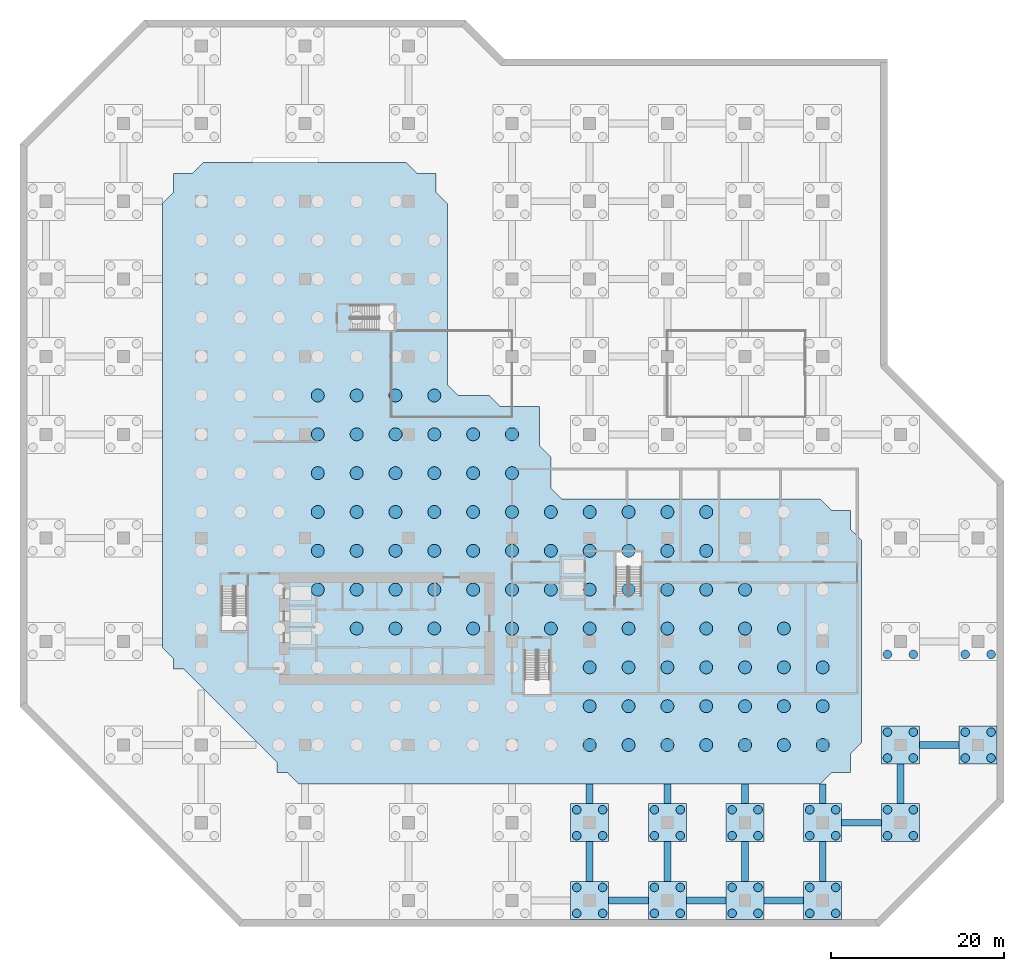
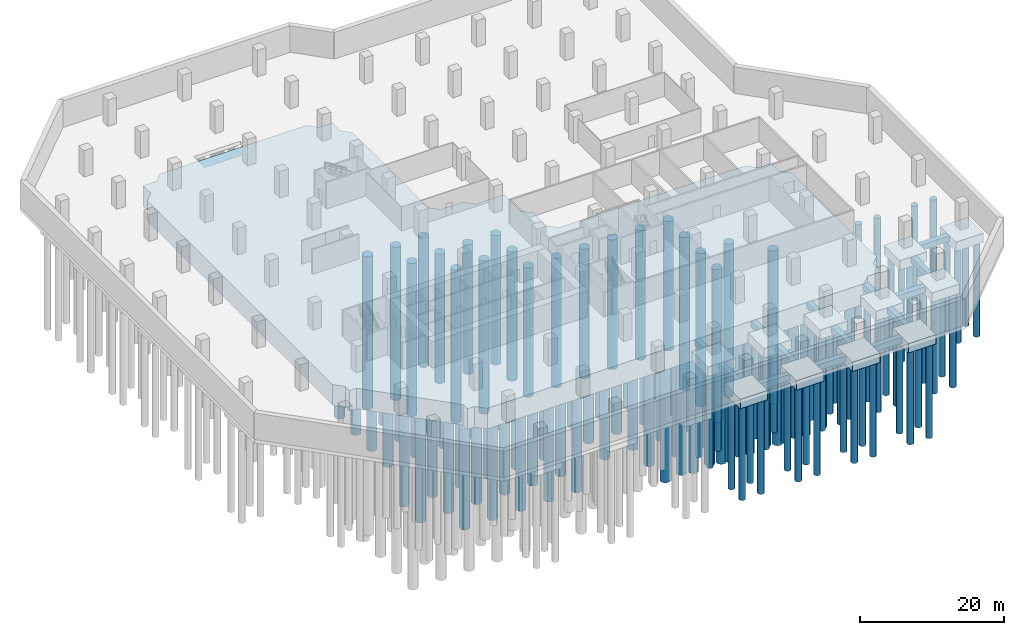
# One storey, part 2 of 13: 131 piles, 26 footings.
"""IFC4 building model written with IfcOpenShell, lengths in metres."""

from ifc_helpers import new_model, si_unit, direction, frame, origin, origin_2d, place, context, subcontext, project, spatial, polyline, circle, outline, extrude, material, layer, layer_set, material_profile, profile_set, type_object, element, save


model = new_model("IFC4")

# Units and contexts
model_context = context("Model", 3, precision=1e-05, world=origin(), true_north=direction((0.0, 1.0)))
body_context = subcontext(model_context, "Body", "Model", "MODEL_VIEW")
ifc_project = project(units=[si_unit("LENGTHUNIT", "METRE"), si_unit("AREAUNIT", "SQUARE_METRE"), si_unit("VOLUMEUNIT", "CUBIC_METRE"), si_unit("PLANEANGLEUNIT", "RADIAN"), si_unit("MASSUNIT", "GRAM", prefix="KILO")], contexts=[model_context])

# Site, building, storey
site_placement = place(None, origin())
site = spatial("IfcSite", under=ifc_project, at=site_placement, CompositionType="ELEMENT")
building_placement = place(site_placement, origin())
building = spatial("IfcBuilding", under=site, at=building_placement, Name="Chenar Terraces", CompositionType="ELEMENT")
storey_placement = place(building_placement, frame((0.0, 0.0, -13.5)))
storey = spatial("IfcBuildingStorey", under=building, at=storey_placement, Name="B3", CompositionType="ELEMENT", Elevation=-13.5)

# Piles
ifc_material_1 = material(Name="Concrete C40/50 sulfate-resisting", Category="concrete")
ifc_material_profile_1 = material_profile(ifc_material_1, circle(Radius=0.5, at=origin_2d()), Name="BP 1000")
ifc_profile_set_1 = profile_set([ifc_material_profile_1], Name="Concrete C40/50 sulfate-resisting")
pile_type_1 = type_object("IfcPileType", Name="Bored pile 1000", PredefinedType="BORED", material=ifc_profile_set_1)
for number, where, z_axis, x_axis, name in (
    (1, (43.5, -19.5, -2.10009765625), (0.0, 0.0, -1.0), (1.0, 0.0, 0.0), "Pile 9/C 1"),
    (2, (46.5, -19.5, -2.10009765625), (0.0, 0.0, -1.0), (1.0, 0.0, 0.0), "Pile 9/C 2"),
    (3, (43.5, -16.5, -2.10009765625), (0.0, 0.0, -1.0), (1.0, 0.0, 0.0), "Pile 9/C 3"),
    (4, (46.5, -16.5, -2.10009765625), (0.0, 0.0, -1.0), (1.0, 0.0, 0.0), "Pile 9/C 4"),
    (5, (43.5, -10.5, -2.10009765625), (0.0, 0.0, -1.0), (1.0, 0.0, 0.0), "Pile 9/D 1"),
    (6, (46.5, -10.5, -2.10009765625), (0.0, 0.0, -1.0), (1.0, 0.0, 0.0), "Pile 9/D 2"),
    (7, (43.5, -7.5, -2.10009765625), (0.0, 0.0, -1.0), (1.0, 0.0, 0.0), "Pile 9/D 3"),
    (8, (46.5, -7.5, -2.10009765625), (0.0, 0.0, -1.0), (1.0, 0.0, 0.0), "Pile 9/D 4"),
    (9, (52.5, -19.5, -2.10009765625), (0.0, 0.0, -1.0), (1.0, 0.0, 0.0), "Pile 10/C 1"),
    (10, (55.5, -19.5, -2.10009765625), (0.0, 0.0, -1.0), (1.0, 0.0, 0.0), "Pile 10/C 2"),
    (11, (52.5, -16.5, -2.10009765625), (0.0, 0.0, -1.0), (1.0, 0.0, 0.0), "Pile 10/C 3"),
    (12, (55.5, -16.5, -2.10009765625), (0.0, 0.0, -1.0), (1.0, 0.0, 0.0), "Pile 10/C 4"),
    (13, (52.5, -10.5, -2.10009765625), (0.0, 0.0, -1.0), (1.0, 0.0, 0.0), "Pile 10/D 1"),
    (14, (55.5, -10.5, -2.10009765625), (0.0, 0.0, -1.0), (1.0, 0.0, 0.0), "Pile 10/D 2"),
    (15, (52.5, -7.5, -2.10009765625), (0.0, 0.0, -1.0), (1.0, 0.0, 0.0), "Pile 10/D 3"),
    (16, (55.5, -7.5, -2.10009765625), (0.0, 0.0, -1.0), (1.0, 0.0, 0.0), "Pile 10/D 4"),
    (17, (61.5, -19.5, -2.10009765625), (0.0, 0.0, -1.0), (1.0, 0.0, 0.0), "Pile 11/C 1"),
    (18, (64.5, -19.5, -2.10009765625), (0.0, 0.0, -1.0), (1.0, 0.0, 0.0), "Pile 11/C 2"),
    (19, (61.5, -16.5, -2.10009765625), (0.0, 0.0, -1.0), (1.0, 0.0, 0.0), "Pile 11/C 3"),
    (20, (64.5, -16.5, -2.10009765625), (0.0, 0.0, -1.0), (1.0, 0.0, 0.0), "Pile 11/C 4"),
    (21, (61.5, -10.5, -2.10009765625), (0.0, 0.0, -1.0), (1.0, 0.0, 0.0), "Pile 11/D 1"),
    (22, (64.5, -10.5, -2.10009765625), (0.0, 0.0, -1.0), (1.0, 0.0, 0.0), "Pile 11/D 2"),
    (23, (61.5, -7.5, -2.10009765625), (0.0, 0.0, -1.0), (1.0, 0.0, 0.0), "Pile 11/D 3"),
    (24, (64.5, -7.5, -2.10009765625), (0.0, 0.0, -1.0), (1.0, 0.0, 0.0), "Pile 11/D 4"),
    (25, (70.5, -19.5, -2.10009765625), (0.0, 0.0, -1.0), (1.0, 0.0, 0.0), "Pile 12/C 1"),
    (26, (73.5, -19.5, -2.10009765625), (0.0, 0.0, -1.0), (1.0, 0.0, 0.0), "Pile 12/C 2"),
    (27, (70.5, -16.5, -2.10009765625), (0.0, 0.0, -1.0), (1.0, 0.0, 0.0), "Pile 12/C 3"),
    (28, (73.5, -16.5, -2.10009765625), (0.0, 0.0, -1.0), (1.0, 0.0, 0.0), "Pile 12/C 4"),
    (29, (70.5, -10.5, -2.10009765625), (0.0, 0.0, -1.0), (1.0, 0.0, 0.0), "Pile 12/D 1"),
    (30, (73.5, -10.5, -2.10009765625), (0.0, 0.0, -1.0), (1.0, 0.0, 0.0), "Pile 12/D 2"),
    (31, (70.5, -7.5, -2.10009765625), (0.0, 0.0, -1.0), (1.0, 0.0, 0.0), "Pile 12/D 3"),
    (32, (73.5, -7.5, -2.10009765625), (0.0, 0.0, -1.0), (1.0, 0.0, 0.0), "Pile 12/D 4"),
    (33, (79.5, -10.5, -2.10009765625), (0.0, 0.0, -1.0), (1.0, 0.0, 0.0), "Pile 13/D 1"),
    (34, (82.5, -10.5, -2.10009765625), (0.0, 0.0, -1.0), (1.0, 0.0, 0.0), "Pile 13/D 2"),
    (35, (79.5, -7.5, -2.10009765625), (0.0, 0.0, -1.0), (1.0, 0.0, 0.0), "Pile 13/D 3"),
    (36, (82.5, -7.5, -2.10009765625), (0.0, 0.0, -1.0), (1.0, 0.0, 0.0), "Pile 13/D 4"),
    (37, (79.5, -1.5, -2.10009765625), (0.0, 0.0, -1.0), (1.0, 0.0, 0.0), "Pile 13/E 1"),
    (38, (82.5, -1.5, -2.10009765625), (0.0, 0.0, -1.0), (1.0, 0.0, 0.0), "Pile 13/E 2"),
    (39, (79.5, 1.5, -2.10009765625), (0.0, 0.0, -1.0), (1.0, 0.0, 0.0), "Pile 13/E 3"),
    (40, (82.5, 1.5, -2.10009765625), (0.0, 0.0, -1.0), (1.0, 0.0, 0.0), "Pile 13/E 4"),
    (41, (79.5, 10.5, -2.10009765625), (0.0, 0.0, -1.0), (1.0, 0.0, 0.0), "Pile 13/F 1"),
    (42, (82.5, 10.5, -2.10009765625), (0.0, 0.0, -1.0), (1.0, 0.0, 0.0), "Pile 13/F 2"),
    (43, (88.5, -1.5, -2.10009765625), (0.0, 0.0, -1.0), (1.0, 0.0, 0.0), "Pile 14/E 1"),
    (44, (91.5, -1.5, -2.10009765625), (0.0, 0.0, -1.0), (1.0, 0.0, 0.0), "Pile 14/E 2"),
    (45, (88.5, 1.5, -2.10009765625), (0.0, 0.0, -1.0), (1.0, 0.0, 0.0), "Pile 14/E 3"),
    (46, (91.5, 1.5, -2.10009765625), (0.0, 0.0, -1.0), (1.0, 0.0, 0.0), "Pile 14/E 4"),
    (47, (88.5, 10.5, -2.10009765625), (0.0, 0.0, -1.0), (1.0, 0.0, 0.0), "Pile 14/F 1"),
    (48, (91.5, 10.5, -2.10009765625), (0.0, 0.0, -1.0), (1.0, 0.0, 0.0), "Pile 14/F 2"),
):
    element("IfcPile", number, at=place(storey_placement, frame(where, z_axis=z_axis, x_axis=x_axis)), inside=storey, type_object=pile_type_1, Name=name, PredefinedType="BORED", context=body_context, shape_type="SweptSolid", body=[
        extrude(circle(Radius=0.5, at=origin_2d()), origin(), (0.0, 0.0, 1.0), 16.0),
    ])
ifc_material_2 = material(Name="Concrete C40/50 sulfate-resisting", Category="concrete")
ifc_material_profile_2 = material_profile(ifc_material_2, circle(Radius=0.75, at=origin_2d()), Name="BP 1500")
ifc_profile_set_2 = profile_set([ifc_material_profile_2], Name="Concrete C40/50 sulfate-resisting")
pile_type_2 = type_object("IfcPileType", Name="Bored pile 1500", PredefinedType="BORED", material=ifc_profile_set_2)
for number, where, z_axis, x_axis, name in (
    (49, (45.0, 0.0, -4.0), (0.0, 0.0, -1.0), (1.0, 0.0, 0.0), "Raft pile 9"),
    (50, (49.5, 0.0, -4.0), (0.0, 0.0, -1.0), (1.0, 0.0, 0.0), "Raft pile 10"),
    (51, (54.0, 0.0, -4.0), (0.0, 0.0, -1.0), (1.0, 0.0, 0.0), "Raft pile 11"),
    (52, (58.5, 0.0, -4.0), (0.0, 0.0, -1.0), (1.0, 0.0, 0.0), "Raft pile 12"),
    (53, (63.0, 0.0, -4.0), (0.0, 0.0, -1.0), (1.0, 0.0, 0.0), "Raft pile 13"),
    (54, (67.5, 0.0, -4.0), (0.0, 0.0, -1.0), (1.0, 0.0, 0.0), "Raft pile 14"),
    (55, (72.0, 0.0, -4.0), (0.0, 0.0, -1.0), (1.0, 0.0, 0.0), "Raft pile 15"),
):
    element("IfcPile", number, at=place(storey_placement, frame(where, z_axis=z_axis, x_axis=x_axis)), inside=storey, type_object=pile_type_2, Name=name, PredefinedType="BORED", context=body_context, shape_type="SweptSolid", body=[
        extrude(circle(Radius=0.75, at=origin_2d()), origin(), (0.0, 0.0, 1.0), 22.0),
    ])
for number, where, z_axis, x_axis, name in (
    (56, (45.0, 4.5, -4.0), (0.0, 0.0, -1.0), (1.0, 0.0, 0.0), "Raft pile 25"),
    (57, (49.5, 4.5, -4.0), (0.0, 0.0, -1.0), (1.0, 0.0, 0.0), "Raft pile 26"),
    (58, (54.0, 4.5, -4.0), (0.0, 0.0, -1.0), (1.0, 0.0, 0.0), "Raft pile 27"),
    (59, (58.5, 4.5, -4.0), (0.0, 0.0, -1.0), (1.0, 0.0, 0.0), "Raft pile 28"),
    (60, (63.0, 4.5, -4.0), (0.0, 0.0, -1.0), (1.0, 0.0, 0.0), "Raft pile 29"),
    (61, (67.5, 4.5, -4.0), (0.0, 0.0, -1.0), (1.0, 0.0, 0.0), "Raft pile 30"),
):
    element("IfcPile", number, at=place(storey_placement, frame(where, z_axis=z_axis, x_axis=x_axis)), inside=storey, type_object=pile_type_2, Name=name, PredefinedType="BORED", context=body_context, shape_type="SweptSolid", body=[
        extrude(circle(Radius=0.75, at=origin_2d()), origin(), (0.0, 0.0, 1.0), 26.0),
    ])
pile_1_placement = place(storey_placement, frame((72.0, 4.5, -4.0), z_axis=(0.0, 0.0, -1.0), x_axis=(1.0, 0.0, 0.0)))
element("IfcPile", 62, at=pile_1_placement, inside=storey, type_object=pile_type_2, Name="Raft pile 31", PredefinedType="BORED", context=body_context, shape_type="SweptSolid", body=[
    extrude(circle(Radius=0.75, at=origin_2d()), origin(), (0.0, 0.0, 1.0), 22.0),
])
for number, where, z_axis, x_axis, name in (
    (63, (45.0, 9.0, -4.0), (0.0, 0.0, -1.0), (1.0, 0.0, 0.0), "Raft pile 42"),
    (64, (49.5, 9.0, -4.0), (0.0, 0.0, -1.0), (1.0, 0.0, 0.0), "Raft pile 43"),
    (65, (54.0, 9.0, -4.0), (0.0, 0.0, -1.0), (1.0, 0.0, 0.0), "Raft pile 44"),
    (66, (58.5, 9.0, -4.0), (0.0, 0.0, -1.0), (1.0, 0.0, 0.0), "Raft pile 45"),
    (67, (63.0, 9.0, -4.0), (0.0, 0.0, -1.0), (1.0, 0.0, 0.0), "Raft pile 46"),
    (68, (67.5, 9.0, -4.0), (0.0, 0.0, -1.0), (1.0, 0.0, 0.0), "Raft pile 47"),
):
    element("IfcPile", number, at=place(storey_placement, frame(where, z_axis=z_axis, x_axis=x_axis)), inside=storey, type_object=pile_type_2, Name=name, PredefinedType="BORED", context=body_context, shape_type="SweptSolid", body=[
        extrude(circle(Radius=0.75, at=origin_2d()), origin(), (0.0, 0.0, 1.0), 26.0),
    ])
pile_2_placement = place(storey_placement, frame((72.0, 9.0, -4.0), z_axis=(0.0, 0.0, -1.0), x_axis=(1.0, 0.0, 0.0)))
element("IfcPile", 69, at=pile_2_placement, inside=storey, type_object=pile_type_2, Name="Raft pile 48", PredefinedType="BORED", context=body_context, shape_type="SweptSolid", body=[
    extrude(circle(Radius=0.75, at=origin_2d()), origin(), (0.0, 0.0, 1.0), 22.0),
])
for number, where, z_axis, x_axis, name in (
    (70, (18.0, 13.5, -4.0), (0.0, 0.0, -1.0), (1.0, 0.0, 0.0), "Raft pile 53"),
    (71, (22.5, 13.5, -4.0), (0.0, 0.0, -1.0), (1.0, 0.0, 0.0), "Raft pile 54"),
    (72, (27.0, 13.5, -4.0), (0.0, 0.0, -1.0), (1.0, 0.0, 0.0), "Raft pile 55"),
    (73, (31.5, 13.5, -4.0), (0.0, 0.0, -1.0), (1.0, 0.0, 0.0), "Raft pile 56"),
    (74, (36.0, 13.5, -4.0), (0.0, 0.0, -1.0), (1.0, 0.0, 0.0), "Raft pile 57"),
):
    element("IfcPile", number, at=place(storey_placement, frame(where, z_axis=z_axis, x_axis=x_axis)), inside=storey, type_object=pile_type_2, Name=name, PredefinedType="BORED", context=body_context, shape_type="SweptSolid", body=[
        extrude(circle(Radius=0.75, at=origin_2d()), origin(), (0.0, 0.0, 1.0), 30.0),
    ])
for number, where, z_axis, x_axis, name in (
    (75, (40.5, 13.5, -4.0), (0.0, 0.0, -1.0), (1.0, 0.0, 0.0), "Raft pile 58"),
    (76, (45.0, 13.5, -4.0), (0.0, 0.0, -1.0), (1.0, 0.0, 0.0), "Raft pile 59"),
    (77, (49.5, 13.5, -4.0), (0.0, 0.0, -1.0), (1.0, 0.0, 0.0), "Raft pile 60"),
    (78, (54.0, 13.5, -4.0), (0.0, 0.0, -1.0), (1.0, 0.0, 0.0), "Raft pile 61"),
    (79, (58.5, 13.5, -4.0), (0.0, 0.0, -1.0), (1.0, 0.0, 0.0), "Raft pile 62"),
    (80, (63.0, 13.5, -4.0), (0.0, 0.0, -1.0), (1.0, 0.0, 0.0), "Raft pile 63"),
    (81, (67.5, 13.5, -4.0), (0.0, 0.0, -1.0), (1.0, 0.0, 0.0), "Raft pile 64"),
):
    element("IfcPile", number, at=place(storey_placement, frame(where, z_axis=z_axis, x_axis=x_axis)), inside=storey, type_object=pile_type_2, Name=name, PredefinedType="BORED", context=body_context, shape_type="SweptSolid", body=[
        extrude(circle(Radius=0.75, at=origin_2d()), origin(), (0.0, 0.0, 1.0), 26.0),
    ])
for number, where, z_axis, x_axis, name in (
    (82, (13.5, 18.0, -4.0), (0.0, 0.0, -1.0), (1.0, 0.0, 0.0), "Raft pile 69"),
    (83, (18.0, 18.0, -4.0), (0.0, 0.0, -1.0), (1.0, 0.0, 0.0), "Raft pile 70"),
    (84, (22.5, 18.0, -4.0), (0.0, 0.0, -1.0), (1.0, 0.0, 0.0), "Raft pile 71"),
    (85, (27.0, 18.0, -4.0), (0.0, 0.0, -1.0), (1.0, 0.0, 0.0), "Raft pile 72"),
    (86, (31.5, 18.0, -4.0), (0.0, 0.0, -1.0), (1.0, 0.0, 0.0), "Raft pile 73"),
    (87, (36.0, 18.0, -4.0), (0.0, 0.0, -1.0), (1.0, 0.0, 0.0), "Raft pile 74"),
):
    element("IfcPile", number, at=place(storey_placement, frame(where, z_axis=z_axis, x_axis=x_axis)), inside=storey, type_object=pile_type_2, Name=name, PredefinedType="BORED", context=body_context, shape_type="SweptSolid", body=[
        extrude(circle(Radius=0.75, at=origin_2d()), origin(), (0.0, 0.0, 1.0), 30.0),
    ])
for number, where, z_axis, x_axis, name in (
    (88, (40.5, 18.0, -4.0), (0.0, 0.0, -1.0), (1.0, 0.0, 0.0), "Raft pile 75"),
    (89, (45.0, 18.0, -4.0), (0.0, 0.0, -1.0), (1.0, 0.0, 0.0), "Raft pile 76"),
    (90, (49.5, 18.0, -4.0), (0.0, 0.0, -1.0), (1.0, 0.0, 0.0), "Raft pile 77"),
    (91, (54.0, 18.0, -4.0), (0.0, 0.0, -1.0), (1.0, 0.0, 0.0), "Raft pile 78"),
    (92, (58.5, 18.0, -4.0), (0.0, 0.0, -1.0), (1.0, 0.0, 0.0), "Raft pile 79"),
    (93, (63.0, 18.0, -4.0), (0.0, 0.0, -1.0), (1.0, 0.0, 0.0), "Raft pile 80"),
):
    element("IfcPile", number, at=place(storey_placement, frame(where, z_axis=z_axis, x_axis=x_axis)), inside=storey, type_object=pile_type_2, Name=name, PredefinedType="BORED", context=body_context, shape_type="SweptSolid", body=[
        extrude(circle(Radius=0.75, at=origin_2d()), origin(), (0.0, 0.0, 1.0), 26.0),
    ])
for number, where, z_axis, x_axis, name in (
    (94, (13.5, 22.5, -4.0), (0.0, 0.0, -1.0), (1.0, 0.0, 0.0), "Raft pile 86"),
    (95, (18.0, 22.5, -4.0), (0.0, 0.0, -1.0), (1.0, 0.0, 0.0), "Raft pile 87"),
    (96, (22.5, 22.5, -4.0), (0.0, 0.0, -1.0), (1.0, 0.0, 0.0), "Raft pile 88"),
    (97, (27.0, 22.5, -4.0), (0.0, 0.0, -1.0), (1.0, 0.0, 0.0), "Raft pile 89"),
    (98, (31.5, 22.5, -4.0), (0.0, 0.0, -1.0), (1.0, 0.0, 0.0), "Raft pile 90"),
    (99, (36.0, 22.5, -4.0), (0.0, 0.0, -1.0), (1.0, 0.0, 0.0), "Raft pile 91"),
):
    element("IfcPile", number, at=place(storey_placement, frame(where, z_axis=z_axis, x_axis=x_axis)), inside=storey, type_object=pile_type_2, Name=name, PredefinedType="BORED", context=body_context, shape_type="SweptSolid", body=[
        extrude(circle(Radius=0.75, at=origin_2d()), origin(), (0.0, 0.0, 1.0), 30.0),
    ])
for number, where, z_axis, x_axis, name in (
    (100, (40.5, 22.5, -4.0), (0.0, 0.0, -1.0), (1.0, 0.0, 0.0), "Raft pile 92"),
    (101, (45.0, 22.5, -4.0), (0.0, 0.0, -1.0), (1.0, 0.0, 0.0), "Raft pile 93"),
    (102, (49.5, 22.5, -4.0), (0.0, 0.0, -1.0), (1.0, 0.0, 0.0), "Raft pile 94"),
    (103, (54.0, 22.5, -4.0), (0.0, 0.0, -1.0), (1.0, 0.0, 0.0), "Raft pile 95"),
    (104, (58.5, 22.5, -4.0), (0.0, 0.0, -1.0), (1.0, 0.0, 0.0), "Raft pile 96"),
    (105, (13.5, 27.0, -4.0), (0.0, 0.0, -1.0), (1.0, 0.0, 0.0), "Raft pile 103"),
    (106, (18.0, 27.0, -4.0), (0.0, 0.0, -1.0), (1.0, 0.0, 0.0), "Raft pile 104"),
    (107, (22.5, 27.0, -4.0), (0.0, 0.0, -1.0), (1.0, 0.0, 0.0), "Raft pile 105"),
    (108, (27.0, 27.0, -4.0), (0.0, 0.0, -1.0), (1.0, 0.0, 0.0), "Raft pile 106"),
    (109, (31.5, 27.0, -4.0), (0.0, 0.0, -1.0), (1.0, 0.0, 0.0), "Raft pile 107"),
):
    element("IfcPile", number, at=place(storey_placement, frame(where, z_axis=z_axis, x_axis=x_axis)), inside=storey, type_object=pile_type_2, Name=name, PredefinedType="BORED", context=body_context, shape_type="SweptSolid", body=[
        extrude(circle(Radius=0.75, at=origin_2d()), origin(), (0.0, 0.0, 1.0), 26.0),
    ])
for number, where, z_axis, x_axis, name in (
    (110, (36.0, 27.0, -4.0), (0.0, 0.0, -1.0), (1.0, 0.0, 0.0), "Raft pile 108"),
    (111, (40.5, 27.0, -4.0), (0.0, 0.0, -1.0), (1.0, 0.0, 0.0), "Raft pile 109"),
    (112, (45.0, 27.0, -4.0), (0.0, 0.0, -1.0), (1.0, 0.0, 0.0), "Raft pile 110"),
    (113, (49.5, 27.0, -4.0), (0.0, 0.0, -1.0), (1.0, 0.0, 0.0), "Raft pile 111"),
    (114, (54.0, 27.0, -4.0), (0.0, 0.0, -1.0), (1.0, 0.0, 0.0), "Raft pile 112"),
    (115, (58.5, 27.0, -4.0), (0.0, 0.0, -1.0), (1.0, 0.0, 0.0), "Raft pile 113"),
):
    element("IfcPile", number, at=place(storey_placement, frame(where, z_axis=z_axis, x_axis=x_axis)), inside=storey, type_object=pile_type_2, Name=name, PredefinedType="BORED", context=body_context, shape_type="SweptSolid", body=[
        extrude(circle(Radius=0.75, at=origin_2d()), origin(), (0.0, 0.0, 1.0), 22.0),
    ])
for number, where, z_axis, x_axis, name in (
    (116, (13.5, 31.5, -4.0), (0.0, 0.0, -1.0), (1.0, 0.0, 0.0), "Raft pile 119"),
    (117, (18.0, 31.5, -4.0), (0.0, 0.0, -1.0), (1.0, 0.0, 0.0), "Raft pile 120"),
    (118, (22.5, 31.5, -4.0), (0.0, 0.0, -1.0), (1.0, 0.0, 0.0), "Raft pile 121"),
    (119, (27.0, 31.5, -4.0), (0.0, 0.0, -1.0), (1.0, 0.0, 0.0), "Raft pile 122"),
    (120, (31.5, 31.5, -4.0), (0.0, 0.0, -1.0), (1.0, 0.0, 0.0), "Raft pile 123"),
):
    element("IfcPile", number, at=place(storey_placement, frame(where, z_axis=z_axis, x_axis=x_axis)), inside=storey, type_object=pile_type_2, Name=name, PredefinedType="BORED", context=body_context, shape_type="SweptSolid", body=[
        extrude(circle(Radius=0.75, at=origin_2d()), origin(), (0.0, 0.0, 1.0), 26.0),
    ])
pile_3_placement = place(storey_placement, frame((36.0, 31.5, -4.0), z_axis=(0.0, 0.0, -1.0), x_axis=(1.0, 0.0, 0.0)))
element("IfcPile", 121, at=pile_3_placement, inside=storey, type_object=pile_type_2, Name="Raft pile 124", PredefinedType="BORED", context=body_context, shape_type="SweptSolid", body=[
    extrude(circle(Radius=0.75, at=origin_2d()), origin(), (0.0, 0.0, 1.0), 22.0),
])
for number, where, z_axis, x_axis, name in (
    (122, (13.5, 36.0, -4.0), (0.0, 0.0, -1.0), (1.0, 0.0, 0.0), "Raft pile 128"),
    (123, (18.0, 36.0, -4.0), (0.0, 0.0, -1.0), (1.0, 0.0, 0.0), "Raft pile 129"),
    (124, (22.5, 36.0, -4.0), (0.0, 0.0, -1.0), (1.0, 0.0, 0.0), "Raft pile 130"),
):
    element("IfcPile", number, at=place(storey_placement, frame(where, z_axis=z_axis, x_axis=x_axis)), inside=storey, type_object=pile_type_2, Name=name, PredefinedType="BORED", context=body_context, shape_type="SweptSolid", body=[
        extrude(circle(Radius=0.75, at=origin_2d()), origin(), (0.0, 0.0, 1.0), 26.0),
    ])
for number, where, z_axis, x_axis, name in (
    (125, (27.0, 36.0, -4.0), (0.0, 0.0, -1.0), (1.0, 0.0, 0.0), "Raft pile 131"),
    (126, (31.5, 36.0, -4.0), (0.0, 0.0, -1.0), (1.0, 0.0, 0.0), "Raft pile 132"),
    (127, (36.0, 36.0, -4.0), (0.0, 0.0, -1.0), (1.0, 0.0, 0.0), "Raft pile 133"),
):
    element("IfcPile", number, at=place(storey_placement, frame(where, z_axis=z_axis, x_axis=x_axis)), inside=storey, type_object=pile_type_2, Name=name, PredefinedType="BORED", context=body_context, shape_type="SweptSolid", body=[
        extrude(circle(Radius=0.75, at=origin_2d()), origin(), (0.0, 0.0, 1.0), 22.0),
    ])
for number, where, z_axis, x_axis, name in (
    (128, (13.5, 40.5, -4.0), (0.0, 0.0, -1.0), (1.0, 0.0, 0.0), "Raft pile 137"),
    (129, (18.0, 40.5, -4.0), (0.0, 0.0, -1.0), (1.0, 0.0, 0.0), "Raft pile 138"),
    (130, (22.5, 40.5, -4.0), (0.0, 0.0, -1.0), (1.0, 0.0, 0.0), "Raft pile 139"),
):
    element("IfcPile", number, at=place(storey_placement, frame(where, z_axis=z_axis, x_axis=x_axis)), inside=storey, type_object=pile_type_2, Name=name, PredefinedType="BORED", context=body_context, shape_type="SweptSolid", body=[
        extrude(circle(Radius=0.75, at=origin_2d()), origin(), (0.0, 0.0, 1.0), 26.0),
    ])
pile_4_placement = place(storey_placement, frame((27.0, 40.5, -4.0), z_axis=(0.0, 0.0, -1.0), x_axis=(1.0, 0.0, 0.0)))
element("IfcPile", 131, at=pile_4_placement, inside=storey, type_object=pile_type_2, Name="Raft pile 140", PredefinedType="BORED", context=body_context, shape_type="SweptSolid", body=[
    extrude(circle(Radius=0.75, at=origin_2d()), origin(), (0.0, 0.0, 1.0), 22.0),
])

# Footings
ifc_material_3 = material(Name="Concrete C40/50 sulfate-resisting", Category="concrete")
ifc_layer_1 = layer(ifc_material_3, 1.0)
ifc_layer_set_1 = layer_set([ifc_layer_1], Name="Concrete C40/50 sulfate-resisting")
footing_type_1 = type_object("IfcFootingType", Name="Footing tie beam 800 x 1000", PredefinedType="FOOTING_BEAM", material=ifc_layer_set_1)
placement_1 = place(storey_placement, frame((0.0, 0.0, -1.60009765625)))
element("IfcFooting", 132, at=placement_1, inside=storey, type_object=footing_type_1, Name="Footing tie beam 9C-10", PredefinedType="FOOTING_BEAM", context=body_context, shape_type="SweptSolid", body=[
    extrude(outline(polyline([(51.800048828125, -18.39990234375), (51.800048828125, -17.60009765625), (47.199951171875, -17.60009765625), (47.199951171875, -18.39990234375), (51.800048828125, -18.39990234375)])), origin(), (0.0, 0.0, 1.0), 1.0),
])
element("IfcFooting", 133, at=placement_1, inside=storey, type_object=footing_type_1, Name="Footing tie beam 9C-01", PredefinedType="FOOTING_BEAM", context=body_context, shape_type="SweptSolid", body=[
    extrude(outline(polyline([(45.39990234375, -15.800048828125), (45.39990234375, -11.199951171875), (44.60009765625, -11.199951171875), (44.60009765625, -15.800048828125), (45.39990234375, -15.800048828125)])), origin(), (0.0, 0.0, 1.0), 1.0),
])
element("IfcFooting", 134, at=placement_1, inside=storey, type_object=footing_type_1, Name="Footing tie beam 9D-01", PredefinedType="FOOTING_BEAM", context=body_context, shape_type="SweptSolid", body=[
    extrude(outline(polyline([(45.39990234375, -6.800048828125), (45.39990234375, -4.5), (44.60009765625, -4.5), (44.60009765625, -6.800048828125), (45.39990234375, -6.800048828125)])), origin(), (0.0, 0.0, 1.0), 1.0),
])
element("IfcFooting", 135, at=placement_1, inside=storey, type_object=footing_type_1, Name="Footing tie beam 10C-10", PredefinedType="FOOTING_BEAM", context=body_context, shape_type="SweptSolid", body=[
    extrude(outline(polyline([(60.800048828125, -18.39990234375), (60.800048828125, -17.60009765625), (56.199951171875, -17.60009765625), (56.199951171875, -18.39990234375), (60.800048828125, -18.39990234375)])), origin(), (0.0, 0.0, 1.0), 1.0),
])
element("IfcFooting", 136, at=placement_1, inside=storey, type_object=footing_type_1, Name="Footing tie beam 10C-01", PredefinedType="FOOTING_BEAM", context=body_context, shape_type="SweptSolid", body=[
    extrude(outline(polyline([(54.39990234375, -15.800048828125), (54.39990234375, -11.199951171875), (53.60009765625, -11.199951171875), (53.60009765625, -15.800048828125), (54.39990234375, -15.800048828125)])), origin(), (0.0, 0.0, 1.0), 1.0),
])
element("IfcFooting", 137, at=placement_1, inside=storey, type_object=footing_type_1, Name="Footing tie beam 10D-01", PredefinedType="FOOTING_BEAM", context=body_context, shape_type="SweptSolid", body=[
    extrude(outline(polyline([(54.39990234375, -6.800048828125), (54.39990234375, -4.5), (53.60009765625, -4.5), (53.60009765625, -6.800048828125), (54.39990234375, -6.800048828125)])), origin(), (0.0, 0.0, 1.0), 1.0),
])
element("IfcFooting", 138, at=placement_1, inside=storey, type_object=footing_type_1, Name="Footing tie beam 11C-10", PredefinedType="FOOTING_BEAM", context=body_context, shape_type="SweptSolid", body=[
    extrude(outline(polyline([(69.800048828125, -18.39990234375), (69.800048828125, -17.60009765625), (65.199951171875, -17.60009765625), (65.199951171875, -18.39990234375), (69.800048828125, -18.39990234375)])), origin(), (0.0, 0.0, 1.0), 1.0),
])
element("IfcFooting", 139, at=placement_1, inside=storey, type_object=footing_type_1, Name="Footing tie beam 11C-01", PredefinedType="FOOTING_BEAM", context=body_context, shape_type="SweptSolid", body=[
    extrude(outline(polyline([(63.39990234375, -15.800048828125), (63.39990234375, -11.199951171875), (62.60009765625, -11.199951171875), (62.60009765625, -15.800048828125), (63.39990234375, -15.800048828125)])), origin(), (0.0, 0.0, 1.0), 1.0),
])
element("IfcFooting", 140, at=placement_1, inside=storey, type_object=footing_type_1, Name="Footing tie beam 11D-01", PredefinedType="FOOTING_BEAM", context=body_context, shape_type="SweptSolid", body=[
    extrude(outline(polyline([(63.39990234375, -6.800048828125), (63.39990234375, -4.5), (62.60009765625, -4.5), (62.60009765625, -6.800048828125), (63.39990234375, -6.800048828125)])), origin(), (0.0, 0.0, 1.0), 1.0),
])
element("IfcFooting", 141, at=placement_1, inside=storey, type_object=footing_type_1, Name="Footing tie beam 12C-01", PredefinedType="FOOTING_BEAM", context=body_context, shape_type="SweptSolid", body=[
    extrude(outline(polyline([(72.39990234375, -15.800048828125), (72.39990234375, -11.199951171875), (71.60009765625, -11.199951171875), (71.60009765625, -15.800048828125), (72.39990234375, -15.800048828125)])), origin(), (0.0, 0.0, 1.0), 1.0),
])
element("IfcFooting", 142, at=placement_1, inside=storey, type_object=footing_type_1, Name="Footing tie beam 12D-10", PredefinedType="FOOTING_BEAM", context=body_context, shape_type="SweptSolid", body=[
    extrude(outline(polyline([(78.800048828125, -9.39990234375), (78.800048828125, -8.60009765625), (74.199951171875, -8.60009765625), (74.199951171875, -9.39990234375), (78.800048828125, -9.39990234375)])), origin(), (0.0, 0.0, 1.0), 1.0),
])
element("IfcFooting", 143, at=placement_1, inside=storey, type_object=footing_type_1, Name="Footing tie beam 12D-01", PredefinedType="FOOTING_BEAM", context=body_context, shape_type="SweptSolid", body=[
    extrude(outline(polyline([(72.39990234375, -6.800048828125), (72.39990234375, -4.5), (71.60009765625, -4.5), (71.60009765625, -6.800048828125), (72.39990234375, -6.800048828125)])), origin(), (0.0, 0.0, 1.0), 1.0),
])
element("IfcFooting", 144, at=placement_1, inside=storey, type_object=footing_type_1, Name="Footing tie beam 13D-01", PredefinedType="FOOTING_BEAM", context=body_context, shape_type="SweptSolid", body=[
    extrude(outline(polyline([(81.39990234375, -6.800048828125), (81.39990234375, -2.199951171875), (80.60009765625, -2.199951171875), (80.60009765625, -6.800048828125), (81.39990234375, -6.800048828125)])), origin(), (0.0, 0.0, 1.0), 1.0),
])
element("IfcFooting", 145, at=placement_1, inside=storey, type_object=footing_type_1, Name="Footing tie beam 13E-10", PredefinedType="FOOTING_BEAM", context=body_context, shape_type="SweptSolid", body=[
    extrude(outline(polyline([(87.800048828125, -0.39990234375), (87.800048828125, 0.39990234375), (83.199951171875, 0.39990234375), (83.199951171875, -0.39990234375), (87.800048828125, -0.39990234375)])), origin(), (0.0, 0.0, 1.0), 1.0),
])
ifc_material_4 = material(Name="Concrete C40/50 sulfate-resisting", Category="concrete")
ifc_layer_2 = layer(ifc_material_4, 1.60009765625)
ifc_layer_set_2 = layer_set([ifc_layer_2], Name="Concrete C40/50 sulfate-resisting")
footing_type_2 = type_object("IfcFootingType", Name="Pile cap 4400 x 4400 x 1600", PredefinedType="PILE_CAP", material=ifc_layer_set_2)
placement_2 = place(storey_placement, frame((0.0, 0.0, -2.199951171875)))
element("IfcFooting", 146, at=placement_2, inside=storey, type_object=footing_type_2, Name="Pile cap 9/C", PredefinedType="PILE_CAP", context=body_context, shape_type="SweptSolid", body=[
    extrude(outline(polyline([(47.199951171875, -20.199951171875), (47.199951171875, -15.800048828125), (42.800048828125, -15.800048828125), (42.800048828125, -20.199951171875), (47.199951171875, -20.199951171875)])), origin(), (0.0, 0.0, 1.0), 1.599853515625),
])
element("IfcFooting", 147, at=placement_2, inside=storey, type_object=footing_type_2, Name="Pile cap 9/D", PredefinedType="PILE_CAP", context=body_context, shape_type="SweptSolid", body=[
    extrude(outline(polyline([(47.199951171875, -11.199951171875), (47.199951171875, -6.800048828125), (42.800048828125, -6.800048828125), (42.800048828125, -11.199951171875), (47.199951171875, -11.199951171875)])), origin(), (0.0, 0.0, 1.0), 1.599853515625),
])
element("IfcFooting", 148, at=placement_2, inside=storey, type_object=footing_type_2, Name="Pile cap 10/C", PredefinedType="PILE_CAP", context=body_context, shape_type="SweptSolid", body=[
    extrude(outline(polyline([(56.199951171875, -20.199951171875), (56.199951171875, -15.800048828125), (51.800048828125, -15.800048828125), (51.800048828125, -20.199951171875), (56.199951171875, -20.199951171875)])), origin(), (0.0, 0.0, 1.0), 1.599853515625),
])
element("IfcFooting", 149, at=placement_2, inside=storey, type_object=footing_type_2, Name="Pile cap 10/D", PredefinedType="PILE_CAP", context=body_context, shape_type="SweptSolid", body=[
    extrude(outline(polyline([(56.199951171875, -11.199951171875), (56.199951171875, -6.800048828125), (51.800048828125, -6.800048828125), (51.800048828125, -11.199951171875), (56.199951171875, -11.199951171875)])), origin(), (0.0, 0.0, 1.0), 1.599853515625),
])
element("IfcFooting", 150, at=placement_2, inside=storey, type_object=footing_type_2, Name="Pile cap 11/C", PredefinedType="PILE_CAP", context=body_context, shape_type="SweptSolid", body=[
    extrude(outline(polyline([(65.199951171875, -20.199951171875), (65.199951171875, -15.800048828125), (60.800048828125, -15.800048828125), (60.800048828125, -20.199951171875), (65.199951171875, -20.199951171875)])), origin(), (0.0, 0.0, 1.0), 1.599853515625),
])
element("IfcFooting", 151, at=placement_2, inside=storey, type_object=footing_type_2, Name="Pile cap 11/D", PredefinedType="PILE_CAP", context=body_context, shape_type="SweptSolid", body=[
    extrude(outline(polyline([(65.199951171875, -11.199951171875), (65.199951171875, -6.800048828125), (60.800048828125, -6.800048828125), (60.800048828125, -11.199951171875), (65.199951171875, -11.199951171875)])), origin(), (0.0, 0.0, 1.0), 1.599853515625),
])
element("IfcFooting", 152, at=placement_2, inside=storey, type_object=footing_type_2, Name="Pile cap 12/C", PredefinedType="PILE_CAP", context=body_context, shape_type="SweptSolid", body=[
    extrude(outline(polyline([(74.199951171875, -20.199951171875), (74.199951171875, -15.800048828125), (69.800048828125, -15.800048828125), (69.800048828125, -20.199951171875), (74.199951171875, -20.199951171875)])), origin(), (0.0, 0.0, 1.0), 1.599853515625),
])
element("IfcFooting", 153, at=placement_2, inside=storey, type_object=footing_type_2, Name="Pile cap 12/D", PredefinedType="PILE_CAP", context=body_context, shape_type="SweptSolid", body=[
    extrude(outline(polyline([(74.199951171875, -11.199951171875), (74.199951171875, -6.800048828125), (69.800048828125, -6.800048828125), (69.800048828125, -11.199951171875), (74.199951171875, -11.199951171875)])), origin(), (0.0, 0.0, 1.0), 1.599853515625),
])
element("IfcFooting", 154, at=placement_2, inside=storey, type_object=footing_type_2, Name="Pile cap 13/D", PredefinedType="PILE_CAP", context=body_context, shape_type="SweptSolid", body=[
    extrude(outline(polyline([(83.199951171875, -11.199951171875), (83.199951171875, -6.800048828125), (78.800048828125, -6.800048828125), (78.800048828125, -11.199951171875), (83.199951171875, -11.199951171875)])), origin(), (0.0, 0.0, 1.0), 1.599853515625),
])
element("IfcFooting", 155, at=placement_2, inside=storey, type_object=footing_type_2, Name="Pile cap 13/E", PredefinedType="PILE_CAP", context=body_context, shape_type="SweptSolid", body=[
    extrude(outline(polyline([(83.199951171875, -2.199951171875), (83.199951171875, 2.199951171875), (78.800048828125, 2.199951171875), (78.800048828125, -2.199951171875), (83.199951171875, -2.199951171875)])), origin(), (0.0, 0.0, 1.0), 1.599853515625),
])
element("IfcFooting", 156, at=placement_2, inside=storey, type_object=footing_type_2, Name="Pile cap 14/E", PredefinedType="PILE_CAP", context=body_context, shape_type="SweptSolid", body=[
    extrude(outline(polyline([(92.199951171875, -2.199951171875), (92.199951171875, 2.199951171875), (87.800048828125, 2.199951171875), (87.800048828125, -2.199951171875), (92.199951171875, -2.199951171875)])), origin(), (0.0, 0.0, 1.0), 1.599853515625),
])
ifc_material_5 = material(Name="Concrete C40/50 sulfate-resisting", Category="concrete")
ifc_layer_3 = layer(ifc_material_5, 3.5)
ifc_layer_set_3 = layer_set([ifc_layer_3], Name="Concrete C40/50 sulfate-resisting")
footing_type_3 = type_object("IfcFootingType", Name="Piled raft 3500 C40/50", PredefinedType="PAD_FOOTING", material=ifc_layer_set_3)
footing_26_placement = place(storey_placement, frame((0.0, 0.0, -4.10009765625)))
element("IfcFooting", 157, at=footing_26_placement, inside=storey, type_object=footing_type_3, Name="Tower raft", PredefinedType="PAD_FOOTING", context=body_context, shape_type="SweptSolid", body=[
    extrude(outline(polyline([(75.199951171875, 27.199951171875), (75.199951171875, 25.04248046875), (76.5, 23.74267578125), (76.5, 0.25732421875), (75.199951171875, -1.04248046875), (75.199951171875, -3.199951171875), (73.04248046875, -3.199951171875), (71.74267578125, -4.5), (11.25732421875, -4.5), (9.95751953125, -3.199951171875), (8.800048828125, -3.199951171875), (8.800048828125, -2.04248046875), (-2.04248046875, 8.800048828125), (-3.199951171875, 8.800048828125), (-3.199951171875, 9.95751953125), (-4.5, 11.25732421875), (-4.5, 62.74267578125), (-3.199951171875, 64.04248046875), (-3.199951171875, 66.199951171875), (-1.04248046875, 66.199951171875), (0.25732421875, 67.5), (23.74267578125, 67.5), (25.04248046875, 66.199951171875), (27.199951171875, 66.199951171875), (27.199951171875, 64.04248046875), (28.5, 62.74267578125), (28.5, 41.74267578125), (29.74267578125, 40.5), (33.342529296875, 40.5), (34.642578125, 39.199951171875), (39.199951171875, 39.199951171875), (39.199951171875, 34.642578125), (40.5, 33.342529296875), (40.5, 29.74267578125), (41.74267578125, 28.5), (71.74267578125, 28.5), (73.04248046875, 27.199951171875), (75.199951171875, 27.199951171875)])), origin(), (0.0, 0.0, 1.0), 3.5),
])

save(model, "model.ifc")
